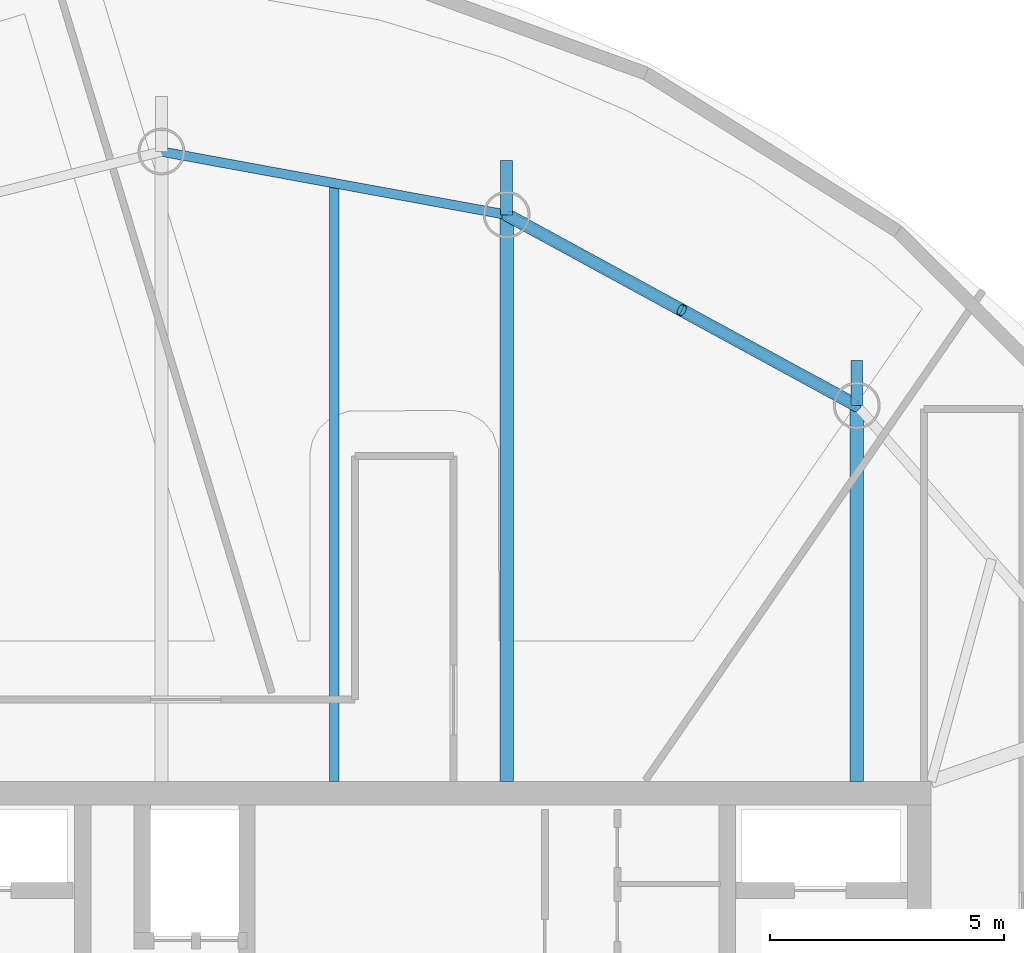
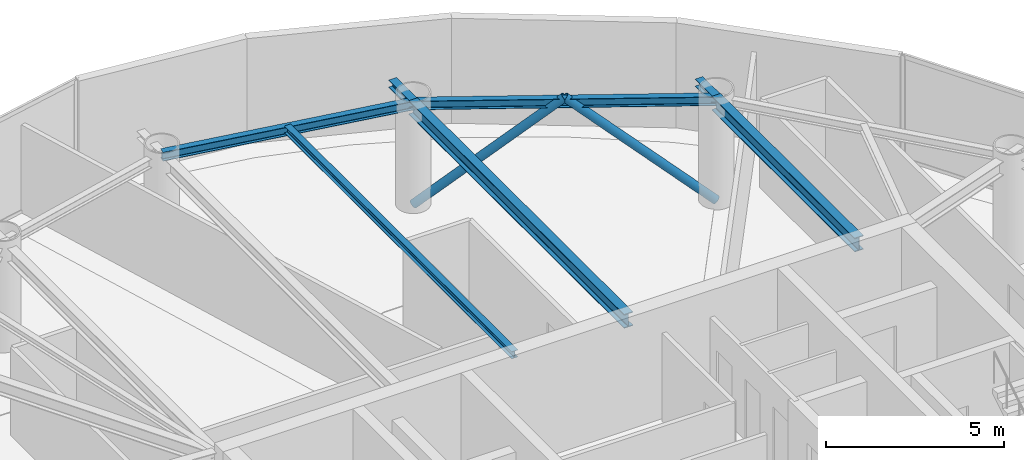
# One storey, part 11 of 20: 7 beams, 2 members.
"""IFC4 building model written with IfcOpenShell, lengths in metres."""

from ifc_helpers import new_model, si_unit, direction, frame, origin, origin_2d, place, context, subcontext, project, spatial, hollow_circle, i_section, extrude, material, material_profile, profile_set, type_object, element, save


model = new_model("IFC4")

# Units and contexts
model_context = context("Model", 3, precision=1e-05, world=origin(), true_north=direction((0.0, 1.0)))
body_context = subcontext(model_context, "Body", "Model", "MODEL_VIEW")
ifc_project = project(units=[si_unit("LENGTHUNIT", "METRE"), si_unit("AREAUNIT", "SQUARE_METRE"), si_unit("VOLUMEUNIT", "CUBIC_METRE"), si_unit("PLANEANGLEUNIT", "RADIAN"), si_unit("MASSUNIT", "GRAM", prefix="KILO")], contexts=[model_context])

# Site, building, storey
site_placement = place(None, origin())
site = spatial("IfcSite", under=ifc_project, at=site_placement, CompositionType="ELEMENT")
building_placement = place(site_placement, origin())
building = spatial("IfcBuilding", under=site, at=building_placement, Name="Bramvorn Convention Spire", CompositionType="ELEMENT")
storey_placement = place(building_placement, frame((0.0, 0.0, 303.64990234375)))
storey = spatial("IfcBuildingStorey", under=building, at=storey_placement, Name="L77", CompositionType="ELEMENT", Elevation=303.64990234375)

# Beams
ifc_material = material(Name="Steel CSA G40.21 Grade 350 (350W)", Category="steel")
ifc_material_profile_1 = material_profile(ifc_material, i_section(OverallWidth=0.201904296875, OverallDepth=0.2470703125, WebThickness=0.00732421875, FlangeThickness=0.010986328125, FilletRadius=0.011962890625, at=origin_2d()))
ifc_profile_set_1 = profile_set([ifc_material_profile_1], Name="Steel CSA G40.21 Grade 350 (350W) - W250X49")
beam_type_1 = type_object("IfcBeamType", Name="BM-W250X49", PredefinedType="JOIST", material=ifc_profile_set_1)
beam_1_placement = place(storey_placement, frame((36.498046875, 33.449951171875, 3.4765625), z_axis=(0.0, 1.0, 0.0), x_axis=(-1.0, 0.0, 0.0)))
element("IfcBeam", 1, at=beam_1_placement, inside=storey, type_object=beam_type_1, Name="L77 composite floor joist 07", PredefinedType="JOIST", context=body_context, shape_type="SweptSolid", body=[
    extrude(i_section(OverallWidth=0.201904296875, OverallDepth=0.2470703125, WebThickness=0.00732421875, FlangeThickness=0.010986328125, FilletRadius=0.011962890625, at=origin_2d()), origin(), (0.0, 0.0, 1.0), 12.77587890625),
])
ifc_material_profile_2 = material_profile(ifc_material, i_section(OverallWidth=0.25390625, OverallDepth=0.2529296875, WebThickness=0.008544921875, FlangeThickness=0.01416015625, FilletRadius=0.011962890625, at=origin_2d()))
ifc_profile_set_2 = profile_set([ifc_material_profile_2], Name="Steel CSA G40.21 Grade 350 (350W) - W250X73")
beam_type_2 = type_object("IfcBeamType", Name="BM-W250X73", PredefinedType="BEAM", material=ifc_profile_set_2)
beam_2_placement = place(storey_placement, frame((47.662353515625, 41.476806640625, 3.4736328125), z_axis=(0.0, 1.0, 0.0), x_axis=(-1.0, 0.0, 0.0)))
element("IfcBeam", 2, at=beam_2_placement, inside=storey, type_object=beam_type_2, Name="L77 slab-edge cantilever tip beam MC06", PredefinedType="BEAM", context=body_context, shape_type="SweptSolid", body=[
    extrude(i_section(OverallWidth=0.25390625, OverallDepth=0.2529296875, WebThickness=0.008544921875, FlangeThickness=0.01416015625, FilletRadius=0.011962890625, at=origin_2d()), origin(), (0.0, 0.0, 1.0), 0.964599609375),
])
beam_3_placement = place(storey_placement, frame((40.1845703125, 45.55078125, 3.4736328125), z_axis=(0.0, 1.0, 0.0), x_axis=(-1.0, 0.0, 0.0)))
element("IfcBeam", 3, at=beam_3_placement, inside=storey, type_object=beam_type_2, Name="L77 slab-edge cantilever tip beam MC07", PredefinedType="BEAM", context=body_context, shape_type="SweptSolid", body=[
    extrude(i_section(OverallWidth=0.25390625, OverallDepth=0.2529296875, WebThickness=0.008544921875, FlangeThickness=0.01416015625, FilletRadius=0.011962890625, at=origin_2d()), origin(), (0.0, 0.0, 1.0), 1.15576171875),
])
ifc_material_profile_3 = material_profile(ifc_material, i_section(OverallWidth=0.202880859375, OverallDepth=0.302978515625, WebThickness=0.007568359375, FlangeThickness=0.01318359375, FilletRadius=0.013916015625, at=origin_2d()))
ifc_profile_set_3 = profile_set([ifc_material_profile_3], Name="Steel CSA G40.21 Grade 350 (350W) - W310X60")
beam_type_3 = type_object("IfcBeamType", Name="BM-W310X60", PredefinedType="JOIST", material=ifc_profile_set_3)
beam_4_placement = place(storey_placement, frame((47.662353515625, 41.476806640625, 3.448486328125), z_axis=(-0.878133224771, 0.478416178189, 0.0), x_axis=(-0.478416178189, -0.878133224771, 0.0)))
element("IfcBeam", 4, at=beam_4_placement, inside=storey, type_object=beam_type_3, Name="L77 mega-column ring beam 06", PredefinedType="JOIST", context=body_context, shape_type="SweptSolid", body=[
    extrude(i_section(OverallWidth=0.202880859375, OverallDepth=0.302978515625, WebThickness=0.007568359375, FlangeThickness=0.01318359375, FilletRadius=0.013916015625, at=origin_2d()), origin(), (0.0, 0.0, 1.0), 8.515625),
])
beam_5_placement = place(storey_placement, frame((40.1845703125, 45.55078125, 3.448486328125), z_axis=(-0.983645049461, 0.180117785547, 0.0), x_axis=(-0.180117785547, -0.983645049461, 0.0)))
element("IfcBeam", 5, at=beam_5_placement, inside=storey, type_object=beam_type_3, Name="L77 mega-column ring beam 07", PredefinedType="JOIST", context=body_context, shape_type="SweptSolid", body=[
    extrude(i_section(OverallWidth=0.202880859375, OverallDepth=0.302978515625, WebThickness=0.007568359375, FlangeThickness=0.01318359375, FilletRadius=0.013916015625, at=origin_2d()), origin(), (0.0, 0.0, 1.0), 7.49560546875),
])
ifc_material_profile_4 = material_profile(ifc_material, i_section(OverallWidth=0.283935546875, OverallDepth=0.47607421875, WebThickness=0.014892578125, FlangeThickness=0.02392578125, FilletRadius=0.01806640625, at=origin_2d()))
ifc_profile_set_4 = profile_set([ifc_material_profile_4], Name="Steel CSA G40.21 Grade 350 (350W) - W460X158")
beam_type_4 = type_object("IfcBeamType", Name="BM-W460X158", PredefinedType="SPANDREL", material=ifc_profile_set_4)
beam_6_placement = place(storey_placement, frame((47.662353515625, 33.449951171875, 3.362060546875), z_axis=(0.0, 1.0, 0.0), x_axis=(-1.0, 0.0, 0.0)))
element("IfcBeam", 6, at=beam_6_placement, inside=storey, type_object=beam_type_4, Name="L77 radial floor girder MC06", PredefinedType="SPANDREL", context=body_context, shape_type="SweptSolid", body=[
    extrude(i_section(OverallWidth=0.283935546875, OverallDepth=0.47607421875, WebThickness=0.014892578125, FlangeThickness=0.02392578125, FilletRadius=0.01806640625, at=origin_2d()), origin(), (0.0, 0.0, 1.0), 8.02685546875),
])
beam_7_placement = place(storey_placement, frame((40.1845703125, 33.449951171875, 3.362060546875), z_axis=(0.0, 1.0, 0.0), x_axis=(-1.0, 0.0, 0.0)))
element("IfcBeam", 7, at=beam_7_placement, inside=storey, type_object=beam_type_4, Name="L77 radial floor girder MC07", PredefinedType="SPANDREL", context=body_context, shape_type="SweptSolid", body=[
    extrude(i_section(OverallWidth=0.283935546875, OverallDepth=0.47607421875, WebThickness=0.014892578125, FlangeThickness=0.02392578125, FilletRadius=0.01806640625, at=origin_2d()), origin(), (0.0, 0.0, 1.0), 12.100830078125),
])

# Members
ifc_material_profile_5 = material_profile(ifc_material, hollow_circle(Radius=0.136474609375, WallThickness=0.0126953125, at=origin_2d()))
ifc_profile_set_5 = profile_set([ifc_material_profile_5], Name="Steel CSA G40.21 Grade 350 (350W) - CHS273X13")
member_type = type_object("IfcMemberType", Name="MBR-CHS273X13", PredefinedType="BRACE", material=ifc_profile_set_5)
member_1_placement = place(storey_placement, frame((47.662353515625, 41.476806640625, 0.0), z_axis=(-0.670565980608, 0.365341334783, 0.645652363699), x_axis=(-0.478426241072, -0.878127742332, 0.0)))
element("IfcMember", 8, at=member_1_placement, inside=storey, type_object=member_type, Name="L77 perimeter Gothic lancet brace 6A", PredefinedType="BRACE", context=body_context, shape_type="SweptSolid", body=[
    extrude(hollow_circle(Radius=0.136474609375, WallThickness=0.0126953125, at=origin_2d()), origin(), (0.0, 0.0, 1.0), 5.575927734375),
])
member_2_placement = place(storey_placement, frame((40.1845703125, 45.55078125, 0.0), z_axis=(0.670552609428, -0.365314119137, 0.645681649382), x_axis=(0.478406114461, 0.878138707521, 0.0)))
element("IfcMember", 9, at=member_2_placement, inside=storey, type_object=member_type, Name="L77 perimeter Gothic lancet brace 6B", PredefinedType="BRACE", context=body_context, shape_type="SweptSolid", body=[
    extrude(hollow_circle(Radius=0.136474609375, WallThickness=0.0126953125, at=origin_2d()), origin(), (0.0, 0.0, 1.0), 5.57568359375),
])

save(model, "model.ifc")
